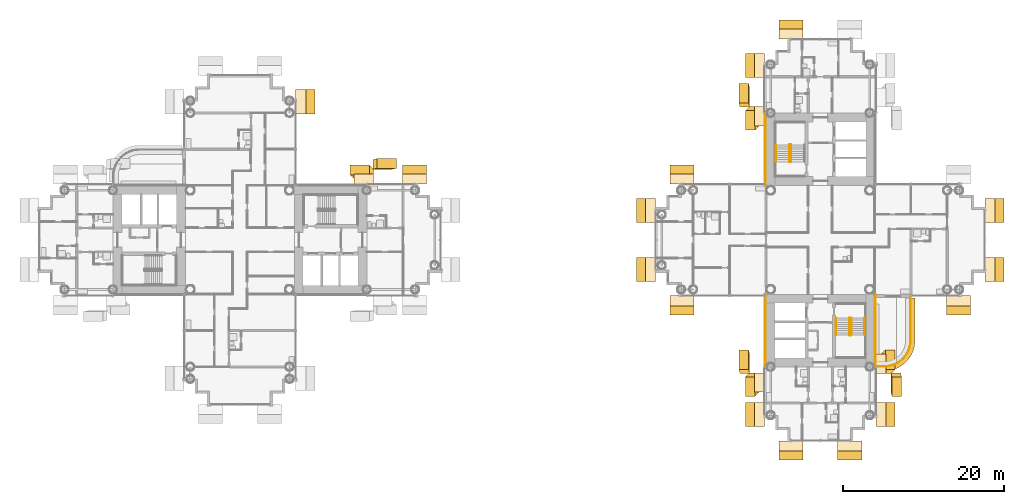
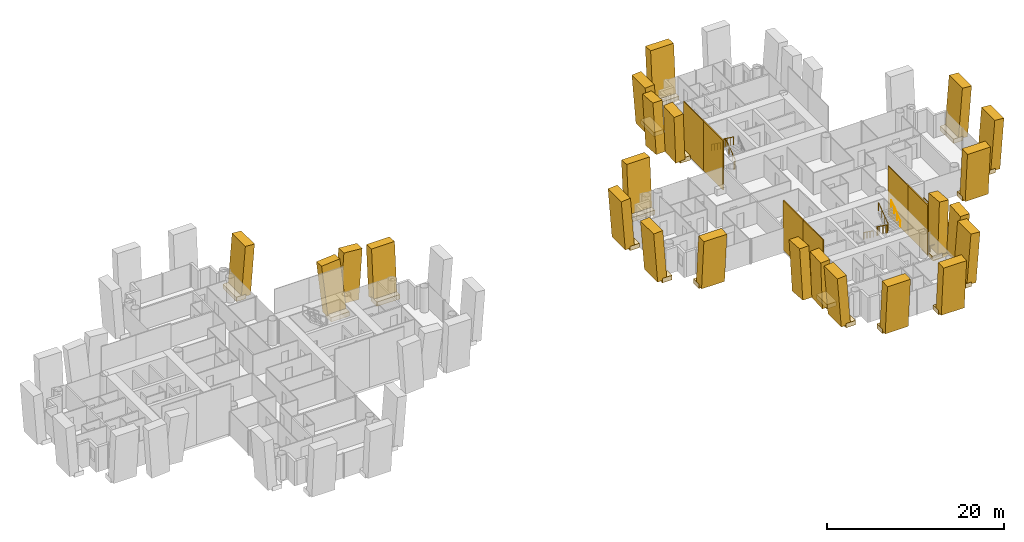
# One storey, part 23 of 25: 49 coverings, 6 railings.
"""IFC4 building model written with IfcOpenShell, lengths in metres."""

from ifc_helpers import new_model, si_unit, direction, frame, origin, origin_2d, place, context, subcontext, project, spatial, polyline, rectangle, circle, outline, extrude, material, layer, layer_set, material_profile, profile_set, type_object, element, save


model = new_model("IFC4")

# Units and contexts
model_context = context("Model", 3, precision=1e-05, world=origin(), true_north=direction((0.0, 1.0)))
body_context = subcontext(model_context, "Body", "Model", "MODEL_VIEW")
ifc_project = project(units=[si_unit("LENGTHUNIT", "METRE"), si_unit("AREAUNIT", "SQUARE_METRE"), si_unit("VOLUMEUNIT", "CUBIC_METRE"), si_unit("PLANEANGLEUNIT", "RADIAN"), si_unit("MASSUNIT", "GRAM", prefix="KILO")], contexts=[model_context])

# Site, building, storey
site_placement = place(None, origin())
site = spatial("IfcSite", under=ifc_project, at=site_placement, CompositionType="ELEMENT")
building_placement = place(site_placement, origin())
building = spatial("IfcBuilding", under=site, at=building_placement, Name="Ipe Terrace Towers", CompositionType="ELEMENT")
storey_placement = place(building_placement, frame((0.0, 0.0, 58.5)))
storey = spatial("IfcBuildingStorey", under=building, at=storey_placement, Name="L15", CompositionType="ELEMENT", Elevation=58.5)

# Railing
ifc_material_1 = material(Name="Stainless steel S316", Category="steel")
railing_type_1 = type_object("IfcRailingType", Name="GUARD 1100", PredefinedType="BALUSTRADE", material=ifc_material_1)
railing_1_placement = place(storey_placement, frame((43.070068359375, -15.699951171875, -0.02001953125)))
element("IfcRailing", 1, at=railing_1_placement, inside=storey, type_object=railing_type_1, Name="guard", PredefinedType="BALUSTRADE", context=body_context, shape_type="SweptSolid", body=[
    extrude(circle(Radius=0.02392578125, at=origin_2d()), frame((0.0, 0.0, 1.076171875), z_axis=(1.0, 0.0, 0.0), x_axis=(0.0, 1.0, 0.0)), (0.0, 0.0, 1.0), 0.8779296875),
    extrude(circle(Radius=0.02392578125, at=origin_2d()), frame((0.8779296875, 0.0, 1.076171875), z_axis=(0.997872833927, 0.065190546171, 0.0), x_axis=(-0.065190546171, 0.997872833927, 0.0)), (0.0, 0.0, 1.0), 0.427001953125),
    extrude(circle(Radius=0.02392578125, at=origin_2d()), frame((1.303955078125, 0.02783203125, 1.076171875), z_axis=(0.980756958892, 0.195232649896, 0.0), x_axis=(-0.195232649896, 0.980756958892, 0.0)), (0.0, 0.0, 1.0), 0.42529296875),
    extrude(circle(Radius=0.02392578125, at=origin_2d()), frame((1.720947265625, 0.11083984375, 1.076171875), z_axis=(0.947355280148, 0.320184280026, 0.0), x_axis=(-0.320184280026, 0.947355280148, 0.0)), (0.0, 0.0, 1.0), 0.425537109375),
    extrude(circle(Radius=0.02392578125, at=origin_2d()), frame((2.1240234375, 0.2470703125, 1.076171875), z_axis=(0.895801099535, 0.444455160923, 0.0), x_axis=(-0.444455160923, 0.895801099535, 0.0)), (0.0, 0.0, 1.0), 0.425048828125),
    extrude(circle(Radius=0.02392578125, at=origin_2d()), frame((2.5048828125, 0.43603515625, 1.076171875), z_axis=(0.83151910003, 0.55549616226, 0.0), x_axis=(-0.55549616226, 0.83151910003, 0.0)), (0.0, 0.0, 1.0), 0.424560546875),
    extrude(circle(Radius=0.02392578125, at=origin_2d()), frame((2.85791015625, 0.671875, 1.076171875), z_axis=(0.752612255774, 0.658463964434, 0.0), x_axis=(-0.658463964434, 0.752612255774, 0.0)), (0.0, 0.0, 1.0), 0.42529296875),
    extrude(circle(Radius=0.02392578125, at=origin_2d()), frame((3.177978515625, 0.951904296875, 1.076171875), z_axis=(0.658463964434, 0.752612255774, 0.0), x_axis=(-0.752612255774, 0.658463964434, 0.0)), (0.0, 0.0, 1.0), 0.42529296875),
    extrude(circle(Radius=0.02392578125, at=origin_2d()), frame((3.4580078125, 1.27197265625, 1.076171875), z_axis=(0.55549616226, 0.83151910003, 0.0), x_axis=(-0.83151910003, 0.55549616226, 0.0)), (0.0, 0.0, 1.0), 0.424560546875),
    extrude(circle(Radius=0.02392578125, at=origin_2d()), frame((3.69384765625, 1.625, 1.076171875), z_axis=(0.444455160923, 0.895801099535, 0.0), x_axis=(-0.895801099535, 0.444455160923, 0.0)), (0.0, 0.0, 1.0), 0.425048828125),
    extrude(circle(Radius=0.02392578125, at=origin_2d()), frame((3.8828125, 2.005859375, 1.076171875), z_axis=(0.320184280026, 0.947355280148, 0.0), x_axis=(-0.947355280148, 0.320184280026, 0.0)), (0.0, 0.0, 1.0), 0.425537109375),
    extrude(circle(Radius=0.02392578125, at=origin_2d()), frame((4.01904296875, 2.408935546875, 1.076171875), z_axis=(0.195232649896, 0.980756958892, 0.0), x_axis=(-0.980756958892, 0.195232649896, 0.0)), (0.0, 0.0, 1.0), 0.42529296875),
    extrude(circle(Radius=0.02392578125, at=origin_2d()), frame((4.10205078125, 2.825927734375, 1.076171875), z_axis=(0.065190546171, 0.997872833927, 0.0), x_axis=(-0.997872833927, 0.065190546171, 0.0)), (0.0, 0.0, 1.0), 0.427001953125),
    extrude(circle(Radius=0.02392578125, at=origin_2d()), frame((4.1298828125, 3.251953125, 1.076171875), z_axis=(0.0, 1.0, 0.0), x_axis=(-1.0, 0.0, 0.0)), (0.0, 0.0, 1.0), 5.3779296875),
    extrude(circle(Radius=0.02099609375, at=origin_2d()), origin(), (0.0, 0.0, 1.0), 1.052001953125),
    extrude(circle(Radius=0.02099609375, at=origin_2d()), frame((0.8779296875, 0.0, 0.0)), (0.0, 0.0, 1.0), 1.052001953125),
    extrude(circle(Radius=0.02099609375, at=origin_2d()), frame((1.303955078125, 0.02783203125, 0.0)), (0.0, 0.0, 1.0), 1.052001953125),
    extrude(circle(Radius=0.02099609375, at=origin_2d()), frame((1.720947265625, 0.11083984375, 0.0)), (0.0, 0.0, 1.0), 1.052001953125),
    extrude(circle(Radius=0.02099609375, at=origin_2d()), frame((2.1240234375, 0.2470703125, 0.0)), (0.0, 0.0, 1.0), 1.052001953125),
    extrude(circle(Radius=0.02099609375, at=origin_2d()), frame((2.5048828125, 0.43603515625, 0.0)), (0.0, 0.0, 1.0), 1.052001953125),
    extrude(circle(Radius=0.02099609375, at=origin_2d()), frame((2.85791015625, 0.671875, 0.0)), (0.0, 0.0, 1.0), 1.052001953125),
    extrude(circle(Radius=0.02099609375, at=origin_2d()), frame((3.177978515625, 0.951904296875, 0.0)), (0.0, 0.0, 1.0), 1.052001953125),
    extrude(circle(Radius=0.02099609375, at=origin_2d()), frame((3.4580078125, 1.27197265625, 0.0)), (0.0, 0.0, 1.0), 1.052001953125),
    extrude(circle(Radius=0.02099609375, at=origin_2d()), frame((3.69384765625, 1.625, 0.0)), (0.0, 0.0, 1.0), 1.052001953125),
    extrude(circle(Radius=0.02099609375, at=origin_2d()), frame((3.8828125, 2.005859375, 0.0)), (0.0, 0.0, 1.0), 1.052001953125),
    extrude(circle(Radius=0.02099609375, at=origin_2d()), frame((4.01904296875, 2.408935546875, 0.0)), (0.0, 0.0, 1.0), 1.052001953125),
    extrude(circle(Radius=0.02099609375, at=origin_2d()), frame((4.10205078125, 2.825927734375, 0.0)), (0.0, 0.0, 1.0), 1.052001953125),
    extrude(circle(Radius=0.02099609375, at=origin_2d()), frame((4.1298828125, 3.251953125, 0.0)), (0.0, 0.0, 1.0), 1.052001953125),
    extrude(circle(Radius=0.02099609375, at=origin_2d()), frame((4.1298828125, 4.32763671875, 0.0)), (0.0, 0.0, 1.0), 1.052001953125),
    extrude(circle(Radius=0.02099609375, at=origin_2d()), frame((4.1298828125, 5.403076171875, 0.0)), (0.0, 0.0, 1.0), 1.052001953125),
    extrude(circle(Radius=0.02099609375, at=origin_2d()), frame((4.1298828125, 6.478759765625, 0.0)), (0.0, 0.0, 1.0), 1.052001953125),
    extrude(circle(Radius=0.02099609375, at=origin_2d()), frame((4.1298828125, 7.55419921875, 0.0)), (0.0, 0.0, 1.0), 1.052001953125),
    extrude(circle(Radius=0.02099609375, at=origin_2d()), frame((4.1298828125, 8.6298828125, 0.0)), (0.0, 0.0, 1.0), 1.052001953125),
])

# Coverings
ifc_material_2 = material(Name="Concrete C50/60 precast, buff finish", Category="concrete")
ifc_layer_1 = layer(ifc_material_2, 0.1201171875)
ifc_layer_set_1 = layer_set([ifc_layer_1], Name="STONE CORE CLADDING 120")
covering_type_1 = type_object("IfcCoveringType", Name="STONE CORE CLADDING 120", PredefinedType="CLADDING", material=ifc_layer_set_1)
covering_1_placement = place(storey_placement, frame((29.18994140625, -13.5, 0.0), z_axis=(0.0, 0.0, 1.0), x_axis=(0.0, -1.0, 0.0)))
element("IfcCovering", 2, at=covering_1_placement, inside=storey, type_object=covering_type_1, Name="stone core cladding", PredefinedType="CLADDING", context=body_context, shape_type="SweptSolid", body=[
    extrude(rectangle(XDim=4.5009765625, YDim=0.1201171875, at=origin_2d()), origin(), (0.0, 0.0, 1.0), 6.800048828125),
])
for number, where, z_axis, x_axis, name in (
    (3, (29.18994140625, -9.0, 0.0), (0.0, 0.0, 1.0), (0.0, -1.0, 0.0), "stone core cladding"),
    (4, (29.18994140625, 9.0, 0.0), (0.0, 0.0, 1.0), (0.0, -1.0, 0.0), "stone core cladding"),
):
    element("IfcCovering", number, at=place(storey_placement, frame(where, z_axis=z_axis, x_axis=x_axis)), inside=storey, type_object=covering_type_1, Name=name, PredefinedType="CLADDING", context=body_context, shape_type="SweptSolid", body=[
        extrude(rectangle(XDim=4.5, YDim=0.1201171875, at=origin_2d()), origin(), (0.0, 0.0, 1.0), 6.800048828125),
    ])
for number, where, z_axis, x_axis, name in (
    (5, (29.18994140625, 13.5, 0.0), (0.0, 0.0, 1.0), (0.0, -1.0, 0.0), "stone core cladding"),
    (6, (42.81005859375, -13.5, 0.0), (0.0, 0.0, 1.0), (0.0, 1.0, 0.0), "stone core cladding"),
):
    element("IfcCovering", number, at=place(storey_placement, frame(where, z_axis=z_axis, x_axis=x_axis)), inside=storey, type_object=covering_type_1, Name=name, PredefinedType="CLADDING", context=body_context, shape_type="SweptSolid", body=[
        extrude(rectangle(XDim=4.5009765625, YDim=0.1201171875, at=origin_2d()), origin(), (0.0, 0.0, 1.0), 6.800048828125),
    ])
covering_2_placement = place(storey_placement, frame((42.81005859375, -9.0, 0.0), z_axis=(0.0, 0.0, 1.0), x_axis=(0.0, 1.0, 0.0)))
element("IfcCovering", 7, at=covering_2_placement, inside=storey, type_object=covering_type_1, Name="stone core cladding", PredefinedType="CLADDING", context=body_context, shape_type="SweptSolid", body=[
    extrude(rectangle(XDim=4.5, YDim=0.1201171875, at=origin_2d()), origin(), (0.0, 0.0, 1.0), 6.800048828125),
])
ifc_material_3 = material(Name="Concrete C50/60 precast, buff finish", Category="concrete")
ifc_layer_2 = layer(ifc_material_3, 0.5)
ifc_layer_set_2 = layer_set([ifc_layer_2], Name="STONE EDGE BAND 500 x 900")
covering_type_2 = type_object("IfcCoveringType", Name="STONE EDGE BAND 500 x 900", PredefinedType="CLADDING", material=ifc_layer_set_2)
covering_3_placement = place(storey_placement, frame((0.0, 0.0, -0.719970703125)))
element("IfcCovering", 8, at=covering_3_placement, inside=storey, type_object=covering_type_2, Name="stone edge band", PredefinedType="CLADDING", context=body_context, shape_type="SweptSolid", body=[
    extrude(outline(polyline([(47.75, -12.449951171875), (47.75, -7.199951171875), (47.25, -7.199951171875), (47.25, -12.449951171875), (47.221923828125, -12.881103515625), (47.137939453125, -13.303955078125), (46.9990234375, -13.712890625), (46.80810546875, -14.10009765625), (46.568115234375, -14.458984375), (46.282958984375, -14.782958984375), (45.958984375, -15.068115234375), (45.60009765625, -15.30810546875), (45.212890625, -15.4990234375), (44.803955078125, -15.637939453125), (44.381103515625, -15.721923828125), (43.949951171875, -15.75), (43.199951171875, -15.75), (43.199951171875, -16.25), (43.949951171875, -16.25), (43.98291015625, -16.2490234375), (44.4130859375, -16.220947265625), (44.47802734375, -16.2119140625), (44.902099609375, -16.1279296875), (44.965087890625, -16.111083984375), (45.3740234375, -15.971923828125), (45.43408203125, -15.947021484375), (45.821044921875, -15.756103515625), (45.8779296875, -15.72412109375), (46.237060546875, -15.48388671875), (46.2890625, -15.444091796875), (46.613037109375, -15.158935546875), (46.658935546875, -15.113037109375), (46.944091796875, -14.7890625), (46.98388671875, -14.737060546875), (47.22412109375, -14.3779296875), (47.256103515625, -14.321044921875), (47.447021484375, -13.93408203125), (47.471923828125, -13.8740234375), (47.611083984375, -13.465087890625), (47.6279296875, -13.402099609375), (47.7119140625, -12.97802734375), (47.720947265625, -12.9130859375), (47.7490234375, -12.48291015625), (47.75, -12.449951171875)])), origin(), (0.0, 0.0, 1.0), 0.89990234375),
])
ifc_material_4 = material(Name="Concrete C50/60 precast, buff finish", Category="concrete")
ifc_material_profile_1 = material_profile(ifc_material_4, rectangle(XDim=2.39990234375, YDim=1.199951171875, at=origin_2d()), Name="STONE FIN 2400 x 1200")
ifc_profile_set_1 = profile_set([ifc_material_profile_1], Name="Concrete C50/60 precast, buff finish")
covering_type_3 = type_object("IfcCoveringType", Name="STONE FIN 2400 x 1200", PredefinedType="USERDEFINED", material=ifc_profile_set_1)
covering_4_placement = place(storey_placement, frame((-20.6298828125, 8.1689453125, 0.0), z_axis=(-0.076913129841, 0.076627605461, 0.994088819241), x_axis=(-0.997037797908, -0.005911179067, -0.076685640794)))
element("IfcCovering", 9, at=covering_4_placement, inside=storey, type_object=covering_type_3, Name="stone fin", ObjectType="FIN", PredefinedType="USERDEFINED", context=body_context, shape_type="SweptSolid", body=[
    extrude(rectangle(XDim=2.39990234375, YDim=1.199951171875, at=origin_2d()), origin(), (0.0, 0.0, 1.0), 6.840576171875),
])
covering_5_placement = place(storey_placement, frame((-18.320068359375, 9.368896484375, 0.0), z_axis=(0.077128363421, 0.017322565149, 0.996870675811), x_axis=(-0.997021171067, 0.001340052882, 0.077116721289)))
element("IfcCovering", 10, at=covering_5_placement, inside=storey, type_object=covering_type_3, Name="stone fin", ObjectType="FIN", PredefinedType="USERDEFINED", context=body_context, shape_type="SweptSolid", body=[
    extrude(rectangle(XDim=2.39990234375, YDim=1.199951171875, at=origin_2d()), origin(), (0.0, 0.0, 1.0), 6.8212890625),
])
covering_6_placement = place(storey_placement, frame((27.8310546875, -17.679931640625, 0.0), z_axis=(-0.076627605461, -0.076913129841, 0.994088819241), x_axis=(0.005911179067, -0.997037797908, -0.076685640794)))
element("IfcCovering", 11, at=covering_6_placement, inside=storey, type_object=covering_type_3, Name="stone fin", ObjectType="FIN", PredefinedType="USERDEFINED", context=body_context, shape_type="SweptSolid", body=[
    extrude(rectangle(XDim=2.39990234375, YDim=1.199951171875, at=origin_2d()), origin(), (0.0, 0.0, 1.0), 6.840576171875),
])
for number, where, z_axis, x_axis, name in (
    (12, (26.631103515625, -15.3701171875, 0.0), (-0.017322565149, 0.077128363421, 0.996870675811), (-0.001340052882, -0.997021171067, 0.077116721289), "stone fin"),
    (13, (26.631103515625, 17.679931640625, 0.0), (-0.017322565149, 0.077128363421, 0.996870675811), (-0.001340052882, -0.997021171067, 0.077116721289), "stone fin"),
):
    element("IfcCovering", number, at=place(storey_placement, frame(where, z_axis=z_axis, x_axis=x_axis)), inside=storey, type_object=covering_type_3, Name=name, ObjectType="FIN", PredefinedType="USERDEFINED", context=body_context, shape_type="SweptSolid", body=[
        extrude(rectangle(XDim=2.39990234375, YDim=1.199951171875, at=origin_2d()), origin(), (0.0, 0.0, 1.0), 6.8212890625),
    ])
covering_7_placement = place(storey_placement, frame((27.8310546875, 15.3701171875, 0.0), z_axis=(-0.076627605461, -0.076913129841, 0.994088819241), x_axis=(0.005911179067, -0.997037797908, -0.076685640794)))
element("IfcCovering", 14, at=covering_7_placement, inside=storey, type_object=covering_type_3, Name="stone fin", ObjectType="FIN", PredefinedType="USERDEFINED", context=body_context, shape_type="SweptSolid", body=[
    extrude(rectangle(XDim=2.39990234375, YDim=1.199951171875, at=origin_2d()), origin(), (0.0, 0.0, 1.0), 6.840576171875),
])
covering_8_placement = place(storey_placement, frame((45.368896484375, -17.679931640625, 0.0), z_axis=(0.017322565149, -0.077128363421, 0.996870675811), x_axis=(0.001340052882, 0.997021171067, 0.077116721289)))
element("IfcCovering", 15, at=covering_8_placement, inside=storey, type_object=covering_type_3, Name="stone fin", ObjectType="FIN", PredefinedType="USERDEFINED", context=body_context, shape_type="SweptSolid", body=[
    extrude(rectangle(XDim=2.39990234375, YDim=1.199951171875, at=origin_2d()), origin(), (0.0, 0.0, 1.0), 6.8212890625),
])
covering_9_placement = place(storey_placement, frame((44.1689453125, -15.3701171875, 0.0), z_axis=(0.076627605461, 0.076913129841, 0.994088819241), x_axis=(-0.005911179067, 0.997037797908, -0.076685640794)))
element("IfcCovering", 16, at=covering_9_placement, inside=storey, type_object=covering_type_3, Name="stone fin", ObjectType="FIN", PredefinedType="USERDEFINED", context=body_context, shape_type="SweptSolid", body=[
    extrude(rectangle(XDim=2.39990234375, YDim=1.199951171875, at=origin_2d()), origin(), (0.0, 0.0, 1.0), 6.840576171875),
])
ifc_material_5 = material(Name="Concrete C50/60 precast, buff finish", Category="concrete")
ifc_material_profile_2 = material_profile(ifc_material_5, rectangle(XDim=3.0, YDim=1.199951171875, at=origin_2d()), Name="STONE FIN CORNER 3000 x 1200")
ifc_profile_set_2 = profile_set([ifc_material_profile_2], Name="Concrete C50/60 precast, buff finish")
covering_type_4 = type_object("IfcCoveringType", Name="STONE FIN CORNER 3000 x 1200", PredefinedType="USERDEFINED", material=ifc_profile_set_2)
for number, where, z_axis, x_axis, name in (
    (17, (-14.35009765625, 8.1689453125, 0.0), (0.0, 0.076855266292, 0.997042259908), (-1.0, 0.0, 0.0), "stone fin"),
    (18, (-27.8310546875, 17.14990234375, 0.0), (0.076855266292, 0.0, 0.997042259908), (0.0, 1.0, 0.0), "stone fin"),
    (19, (14.3310546875, -3.64990234375, 0.0), (-0.076855266292, 0.0, 0.997042259908), (0.0, -1.0, 0.0), "stone fin"),
    (20, (14.3310546875, 3.64990234375, 0.0), (-0.076855266292, 0.0, 0.997042259908), (0.0, -1.0, 0.0), "stone fin"),
    (21, (18.85009765625, -8.1689453125, 0.0), (0.0, -0.076855266292, 0.997042259908), (1.0, 0.0, 0.0), "stone fin"),
    (22, (18.85009765625, 8.1689453125, 0.0), (0.0, 0.076855266292, 0.997042259908), (-1.0, 0.0, 0.0), "stone fin"),
    (23, (27.8310546875, -21.64990234375, 0.0), (-0.076855266292, 0.0, 0.997042259908), (0.0, -1.0, 0.0), "stone fin"),
    (24, (27.8310546875, 21.64990234375, 0.0), (-0.076855266292, 0.0, 0.997042259908), (0.0, -1.0, 0.0), "stone fin"),
    (25, (32.35009765625, -26.1689453125, 0.0), (0.0, -0.076855266292, 0.997042259908), (1.0, 0.0, 0.0), "stone fin"),
    (26, (32.35009765625, 26.1689453125, 0.0), (0.0, 0.076855266292, 0.997042259908), (-1.0, 0.0, 0.0), "stone fin"),
    (27, (39.64990234375, -26.1689453125, 0.0), (0.0, -0.076855266292, 0.997042259908), (1.0, 0.0, 0.0), "stone fin"),
    (28, (44.1689453125, -21.64990234375, 0.0), (0.076855266292, 0.0, 0.997042259908), (0.0, 1.0, 0.0), "stone fin"),
    (29, (53.14990234375, -8.1689453125, 0.0), (0.0, -0.076855266292, 0.997042259908), (1.0, 0.0, 0.0), "stone fin"),
    (30, (57.6689453125, -3.64990234375, 0.0), (0.076855266292, 0.0, 0.997042259908), (0.0, 1.0, 0.0), "stone fin"),
    (31, (57.6689453125, 3.64990234375, 0.0), (0.076855266292, 0.0, 0.997042259908), (0.0, 1.0, 0.0), "stone fin"),
):
    element("IfcCovering", number, at=place(storey_placement, frame(where, z_axis=z_axis, x_axis=x_axis)), inside=storey, type_object=covering_type_4, Name=name, ObjectType="FIN", PredefinedType="USERDEFINED", context=body_context, shape_type="SweptSolid", body=[
        extrude(rectangle(XDim=3.0, YDim=1.199951171875, at=origin_2d()), origin(), (0.0, 0.0, 1.0), 6.8203125),
    ])
ifc_material_6 = material(Name="Concrete C50/60 precast, buff finish", Category="concrete")
covering_type_5 = type_object("IfcCoveringType", Name="STONE FIN SHELF 2400 x 600", PredefinedType="CLADDING", material=ifc_material_6)
covering_10_placement = place(storey_placement, frame((-20.6298828125, 7.513916015625, -0.35009765625), z_axis=(0.0, 0.0, 1.0), x_axis=(-1.0, 0.0, 0.0)))
element("IfcCovering", 32, at=covering_10_placement, inside=storey, type_object=covering_type_5, Name="stone fin shelf", PredefinedType="CLADDING", context=body_context, shape_type="SweptSolid", body=[
    extrude(rectangle(XDim=2.39990234375, YDim=1.30908203125, at=origin_2d()), origin(), (0.0, 0.0, 1.0), 0.60009765625),
])
covering_11_placement = place(storey_placement, frame((28.45703125, -17.679931640625, -0.35009765625), z_axis=(0.0, 0.0, 1.0), x_axis=(0.0, -1.0, 0.0)))
element("IfcCovering", 33, at=covering_11_placement, inside=storey, type_object=covering_type_5, Name="stone fin shelf", PredefinedType="CLADDING", context=body_context, shape_type="SweptSolid", body=[
    extrude(rectangle(XDim=2.39990234375, YDim=1.2529296875, at=origin_2d()), origin(), (0.0, 0.0, 1.0), 0.60009765625),
])
for number, where, z_axis, x_axis, name in (
    (34, (28.485107421875, 15.3701171875, -0.35009765625), (0.0, 0.0, 1.0), (0.0, -1.0, 0.0), "stone fin shelf"),
    (35, (43.513916015625, -15.3701171875, -0.35009765625), (0.0, 0.0, 1.0), (0.0, 1.0, 0.0), "stone fin shelf"),
):
    element("IfcCovering", number, at=place(storey_placement, frame(where, z_axis=z_axis, x_axis=x_axis)), inside=storey, type_object=covering_type_5, Name=name, PredefinedType="CLADDING", context=body_context, shape_type="SweptSolid", body=[
        extrude(rectangle(XDim=2.39990234375, YDim=1.30908203125, at=origin_2d()), origin(), (0.0, 0.0, 1.0), 0.60009765625),
    ])
ifc_material_7 = material(Name="Concrete C50/60 precast, buff finish", Category="concrete")
covering_type_6 = type_object("IfcCoveringType", Name="STONE FIN SHELF 3000 x 600", PredefinedType="CLADDING", material=ifc_material_7)
for number, where, z_axis, x_axis, name in (
    (36, (-14.35009765625, 7.54296875, -0.35009765625), (0.0, 0.0, 1.0), (-1.0, 0.0, 0.0), "stone fin shelf"),
    (37, (-28.45703125, 17.14990234375, -0.35009765625), (0.0, 0.0, 1.0), (0.0, 1.0, 0.0), "stone fin shelf"),
    (38, (14.95703125, -3.64990234375, -0.35009765625), (0.0, 0.0, 1.0), (0.0, -1.0, 0.0), "stone fin shelf"),
    (39, (14.95703125, 3.64990234375, -0.35009765625), (0.0, 0.0, 1.0), (0.0, -1.0, 0.0), "stone fin shelf"),
    (40, (18.85009765625, -7.54296875, -0.35009765625), (0.0, 0.0, 1.0), (1.0, 0.0, 0.0), "stone fin shelf"),
    (41, (18.85009765625, 7.54296875, -0.35009765625), (0.0, 0.0, 1.0), (-1.0, 0.0, 0.0), "stone fin shelf"),
    (42, (28.45703125, -21.64990234375, -0.35009765625), (0.0, 0.0, 1.0), (0.0, -1.0, 0.0), "stone fin shelf"),
    (43, (28.45703125, 21.64990234375, -0.35009765625), (0.0, 0.0, 1.0), (0.0, -1.0, 0.0), "stone fin shelf"),
    (44, (32.35009765625, -25.54296875, -0.35009765625), (0.0, 0.0, 1.0), (1.0, 0.0, 0.0), "stone fin shelf"),
    (45, (32.35009765625, 25.54296875, -0.35009765625), (0.0, 0.0, 1.0), (-1.0, 0.0, 0.0), "stone fin shelf"),
    (46, (39.64990234375, -25.54296875, -0.35009765625), (0.0, 0.0, 1.0), (1.0, 0.0, 0.0), "stone fin shelf"),
    (47, (43.5419921875, -21.64990234375, -0.35009765625), (0.0, 0.0, 1.0), (0.0, 1.0, 0.0), "stone fin shelf"),
    (48, (53.14990234375, -7.54296875, -0.35009765625), (0.0, 0.0, 1.0), (1.0, 0.0, 0.0), "stone fin shelf"),
    (49, (57.0419921875, -3.64990234375, -0.35009765625), (0.0, 0.0, 1.0), (0.0, 1.0, 0.0), "stone fin shelf"),
    (50, (57.0419921875, 3.64990234375, -0.35009765625), (0.0, 0.0, 1.0), (0.0, 1.0, 0.0), "stone fin shelf"),
):
    element("IfcCovering", number, at=place(storey_placement, frame(where, z_axis=z_axis, x_axis=x_axis)), inside=storey, type_object=covering_type_6, Name=name, PredefinedType="CLADDING", context=body_context, shape_type="SweptSolid", body=[
        extrude(rectangle(XDim=3.0, YDim=1.2529296875, at=origin_2d()), origin(), (0.0, 0.0, 1.0), 0.60009765625),
    ])

# Railings
ifc_material_8 = material(Name="Steel S355", Category="steel")
railing_type_2 = type_object("IfcRailingType", Name="Stair guard 1100", PredefinedType="GUARDRAIL", material=ifc_material_8)
railing_2_placement = place(storey_placement, frame((32.199951171875, 9.64990234375, 0.0)))
element("IfcRailing", 51, at=railing_2_placement, inside=storey, type_object=railing_type_2, Name="L15 T2-ST1 stair guard 1", PredefinedType="GUARDRAIL", context=body_context, shape_type="SweptSolid", body=[
    extrude(circle(Radius=0.02392578125, at=origin_2d()), frame((0.0, 0.0, 1.076171875), z_axis=(1.0, 0.0, 0.0), x_axis=(0.0, 1.0, 0.0)), (0.0, 0.0, 1.0), 0.150146484375),
    extrude(circle(Radius=0.02392578125, at=origin_2d()), frame((0.150146484375, 0.0, 1.076171875), z_axis=(0.246893586699, 0.248103849378, 0.936743314239), x_axis=(-0.708833529934, 0.705375805398, 0.0)), (0.0, 0.0, 1.0), 0.20166015625),
    extrude(circle(Radius=0.02392578125, at=origin_2d()), frame((0.199951171875, 0.050048828125, 1.26513671875), z_axis=(0.0, 0.809068575486, 0.587714250432), x_axis=(-1.0, 0.0, 0.0)), (0.0, 0.0, 1.0), 2.571044921875),
    extrude(circle(Radius=0.02392578125, at=origin_2d()), frame((0.199951171875, 2.130126953125, 2.77587890625), z_axis=(-0.705375805398, 0.708833529934, 0.0), x_axis=(-0.708833529934, -0.705375805398, 0.0)), (0.0, 0.0, 1.0), 0.070556640625),
    extrude(circle(Radius=0.02392578125, at=origin_2d()), frame((0.150146484375, 2.18017578125, 2.77587890625), z_axis=(-1.0, 0.0, 0.0), x_axis=(0.0, -1.0, 0.0)), (0.0, 0.0, 1.0), 0.150146484375),
    extrude(circle(Radius=0.02392578125, at=origin_2d()), frame((0.0, 2.18017578125, 2.77587890625), z_axis=(-0.248029566107, -0.248029566107, 0.936462849596), x_axis=(0.707106781187, -0.707106781187, 0.0)), (0.0, 0.0, 1.0), 0.201904296875),
    extrude(circle(Radius=0.02392578125, at=origin_2d()), frame((-0.050048828125, 2.130126953125, 2.96484375), z_axis=(0.0, -0.809068575486, 0.587714250432), x_axis=(1.0, 0.0, 0.0)), (0.0, 0.0, 1.0), 2.571044921875),
    extrude(circle(Radius=0.02099609375, at=origin_2d()), origin(), (0.0, 0.0, 1.0), 1.052001953125),
    extrude(circle(Radius=0.02099609375, at=origin_2d()), frame((0.150146484375, 0.0, 0.0)), (0.0, 0.0, 1.0), 1.052001953125),
    extrude(circle(Radius=0.02099609375, at=origin_2d()), frame((0.199951171875, 0.050048828125, 0.18896484375)), (0.0, 0.0, 1.0), 1.052001953125),
    extrude(circle(Radius=0.02099609375, at=origin_2d()), frame((0.199951171875, 0.743408203125, 0.692626953125)), (0.0, 0.0, 1.0), 1.052001953125),
    extrude(circle(Radius=0.02099609375, at=origin_2d()), frame((0.199951171875, 1.436767578125, 1.1962890625)), (0.0, 0.0, 1.0), 1.052001953125),
    extrude(circle(Radius=0.02099609375, at=origin_2d()), frame((0.199951171875, 2.130126953125, 1.699951171875)), (0.0, 0.0, 1.0), 1.052001953125),
    extrude(circle(Radius=0.02099609375, at=origin_2d()), frame((0.150146484375, 2.18017578125, 1.699951171875)), (0.0, 0.0, 1.0), 1.052001953125),
    extrude(circle(Radius=0.02099609375, at=origin_2d()), frame((0.0, 2.18017578125, 1.699951171875)), (0.0, 0.0, 1.0), 1.052001953125),
    extrude(circle(Radius=0.02099609375, at=origin_2d()), frame((-0.050048828125, 2.130126953125, 1.888916015625)), (0.0, 0.0, 1.0), 1.052001953125),
    extrude(circle(Radius=0.02099609375, at=origin_2d()), frame((-0.050048828125, 1.436767578125, 2.392578125)), (0.0, 0.0, 1.0), 1.052001953125),
    extrude(circle(Radius=0.02099609375, at=origin_2d()), frame((-0.050048828125, 0.743408203125, 2.896240234375)), (0.0, 0.0, 1.0), 1.052001953125),
    extrude(circle(Radius=0.02099609375, at=origin_2d()), frame((-0.050048828125, 0.050048828125, 3.39990234375)), (0.0, 0.0, 1.0), 1.052001953125),
])
railing_3_placement = place(storey_placement, frame((39.800048828125, -9.64990234375, 0.0)))
element("IfcRailing", 52, at=railing_3_placement, inside=storey, type_object=railing_type_2, Name="L15 T2-ST2 stair guard 1", PredefinedType="GUARDRAIL", context=body_context, shape_type="SweptSolid", body=[
    extrude(circle(Radius=0.02392578125, at=origin_2d()), frame((0.0, 0.0, 1.076171875), z_axis=(-1.0, 0.0, 0.0), x_axis=(0.0, -1.0, 0.0)), (0.0, 0.0, 1.0), 0.150146484375),
    extrude(circle(Radius=0.02392578125, at=origin_2d()), frame((-0.150146484375, 0.0, 1.076171875), z_axis=(-0.246893586699, -0.248103849378, 0.936743314239), x_axis=(0.708833529934, -0.705375805398, 0.0)), (0.0, 0.0, 1.0), 0.20166015625),
    extrude(circle(Radius=0.02392578125, at=origin_2d()), frame((-0.199951171875, -0.050048828125, 1.26513671875), z_axis=(0.0, -0.809068575486, 0.587714250432), x_axis=(1.0, 0.0, 0.0)), (0.0, 0.0, 1.0), 2.571044921875),
    extrude(circle(Radius=0.02392578125, at=origin_2d()), frame((-0.199951171875, -2.130126953125, 2.77587890625), z_axis=(0.705375805398, -0.708833529934, 0.0), x_axis=(0.708833529934, 0.705375805398, 0.0)), (0.0, 0.0, 1.0), 0.070556640625),
    extrude(circle(Radius=0.02392578125, at=origin_2d()), frame((-0.150146484375, -2.18017578125, 2.77587890625), z_axis=(1.0, 0.0, 0.0), x_axis=(0.0, 1.0, 0.0)), (0.0, 0.0, 1.0), 0.150146484375),
    extrude(circle(Radius=0.02392578125, at=origin_2d()), frame((0.0, -2.18017578125, 2.77587890625), z_axis=(0.248029566107, 0.248029566107, 0.936462849596), x_axis=(-0.707106781187, 0.707106781187, 0.0)), (0.0, 0.0, 1.0), 0.201904296875),
    extrude(circle(Radius=0.02392578125, at=origin_2d()), frame((0.050048828125, -2.130126953125, 2.96484375), z_axis=(0.0, 0.809068575486, 0.587714250432), x_axis=(-1.0, 0.0, 0.0)), (0.0, 0.0, 1.0), 2.571044921875),
    extrude(circle(Radius=0.02099609375, at=origin_2d()), origin(), (0.0, 0.0, 1.0), 1.052001953125),
    extrude(circle(Radius=0.02099609375, at=origin_2d()), frame((-0.150146484375, 0.0, 0.0)), (0.0, 0.0, 1.0), 1.052001953125),
    extrude(circle(Radius=0.02099609375, at=origin_2d()), frame((-0.199951171875, -0.050048828125, 0.18896484375)), (0.0, 0.0, 1.0), 1.052001953125),
    extrude(circle(Radius=0.02099609375, at=origin_2d()), frame((-0.199951171875, -0.743408203125, 0.692626953125)), (0.0, 0.0, 1.0), 1.052001953125),
    extrude(circle(Radius=0.02099609375, at=origin_2d()), frame((-0.199951171875, -1.436767578125, 1.1962890625)), (0.0, 0.0, 1.0), 1.052001953125),
    extrude(circle(Radius=0.02099609375, at=origin_2d()), frame((-0.199951171875, -2.130126953125, 1.699951171875)), (0.0, 0.0, 1.0), 1.052001953125),
    extrude(circle(Radius=0.02099609375, at=origin_2d()), frame((-0.150146484375, -2.18017578125, 1.699951171875)), (0.0, 0.0, 1.0), 1.052001953125),
    extrude(circle(Radius=0.02099609375, at=origin_2d()), frame((0.0, -2.18017578125, 1.699951171875)), (0.0, 0.0, 1.0), 1.052001953125),
    extrude(circle(Radius=0.02099609375, at=origin_2d()), frame((0.050048828125, -2.130126953125, 1.888916015625)), (0.0, 0.0, 1.0), 1.052001953125),
    extrude(circle(Radius=0.02099609375, at=origin_2d()), frame((0.050048828125, -1.436767578125, 2.392578125)), (0.0, 0.0, 1.0), 1.052001953125),
    extrude(circle(Radius=0.02099609375, at=origin_2d()), frame((0.050048828125, -0.743408203125, 2.896240234375)), (0.0, 0.0, 1.0), 1.052001953125),
    extrude(circle(Radius=0.02099609375, at=origin_2d()), frame((0.050048828125, -0.050048828125, 3.39990234375)), (0.0, 0.0, 1.0), 1.052001953125),
])
ifc_material_9 = material(Name="Stainless steel grade 304", Category="steel")
railing_type_3 = type_object("IfcRailingType", Name="Stair handrail 900", PredefinedType="HANDRAIL", material=ifc_material_9)
for number, where, name in (
    (53, (30.5, 11.780029296875, 1.888916015625), "L15 T2-ST1 stair handrail 2"),
    (54, (37.949951171875, -9.699951171875, 0.18896484375), "L15 T2-ST2 stair handrail 1"),
):
    element("IfcRailing", number, at=place(storey_placement, frame(where)), inside=storey, type_object=railing_type_3, Name=name, PredefinedType="HANDRAIL", context=body_context, shape_type="SweptSolid", body=[
        extrude(circle(Radius=0.02392578125, at=origin_2d()), frame((0.0, 0.0, 0.8759765625), z_axis=(0.0, -0.809068575486, 0.587714250432), x_axis=(1.0, 0.0, 0.0)), (0.0, 0.0, 1.0), 2.571044921875),
        extrude(circle(Radius=0.02099609375, at=origin_2d()), origin(), (0.0, 0.0, 1.0), 0.851806640625),
        extrude(circle(Radius=0.02099609375, at=origin_2d()), frame((0.0, -0.693359375, 0.503662109375)), (0.0, 0.0, 1.0), 0.851806640625),
        extrude(circle(Radius=0.02099609375, at=origin_2d()), frame((0.0, -1.38671875, 1.00732421875)), (0.0, 0.0, 1.0), 0.851806640625),
        extrude(circle(Radius=0.02099609375, at=origin_2d()), frame((0.0, -2.080078125, 1.510986328125)), (0.0, 0.0, 1.0), 0.851806640625),
    ])
railing_4_placement = place(storey_placement, frame((41.5, -11.780029296875, 1.888916015625)))
element("IfcRailing", 55, at=railing_4_placement, inside=storey, type_object=railing_type_3, Name="L15 T2-ST2 stair handrail 2", PredefinedType="HANDRAIL", context=body_context, shape_type="SweptSolid", body=[
    extrude(circle(Radius=0.02392578125, at=origin_2d()), frame((0.0, 0.0, 0.8759765625), z_axis=(0.0, 0.809068575486, 0.587714250432), x_axis=(-1.0, 0.0, 0.0)), (0.0, 0.0, 1.0), 2.571044921875),
    extrude(circle(Radius=0.02099609375, at=origin_2d()), origin(), (0.0, 0.0, 1.0), 0.851806640625),
    extrude(circle(Radius=0.02099609375, at=origin_2d()), frame((0.0, 0.693359375, 0.503662109375)), (0.0, 0.0, 1.0), 0.851806640625),
    extrude(circle(Radius=0.02099609375, at=origin_2d()), frame((0.0, 1.38671875, 1.00732421875)), (0.0, 0.0, 1.0), 0.851806640625),
    extrude(circle(Radius=0.02099609375, at=origin_2d()), frame((0.0, 2.080078125, 1.510986328125)), (0.0, 0.0, 1.0), 0.851806640625),
])

save(model, "model.ifc")
